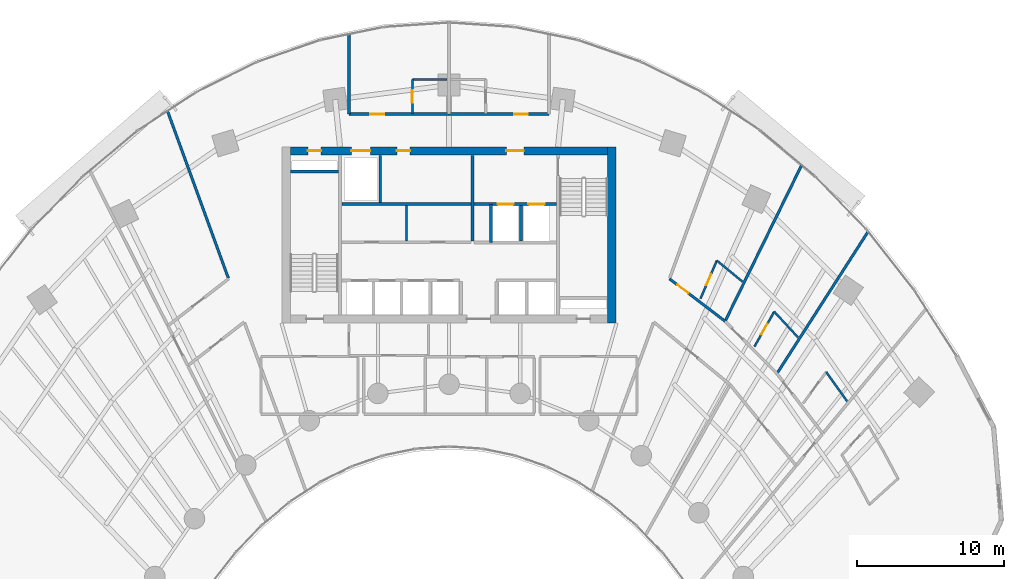
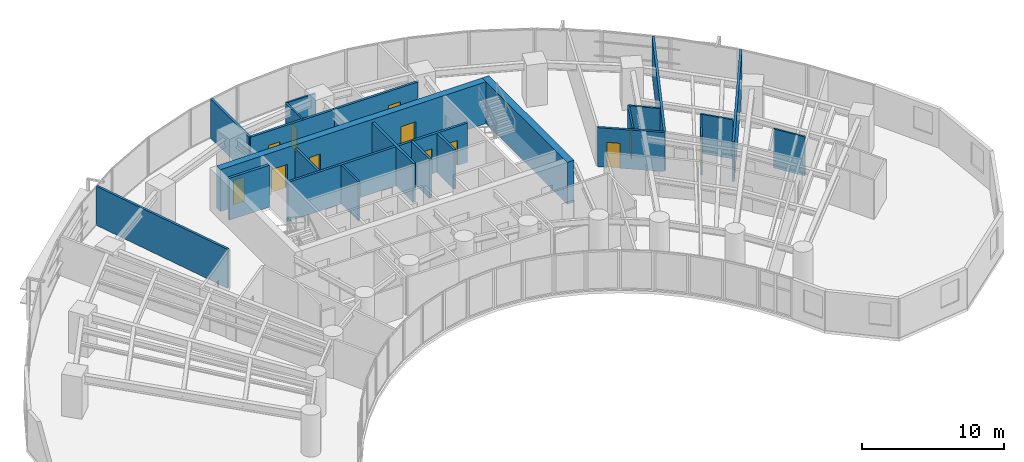
# One storey, part 13 of 17: 24 walls, 12 doors, 12 openings.
"""IFC4 building model written with IfcOpenShell, lengths in metres."""

from ifc_helpers import new_model, si_unit, direction, frame, frame_2d, origin, place, context, subcontext, project, spatial, rectangle, extrude, source, transform, mapped, material, layer, layer_set, type_object, type_shapes, element, fill, save


model = new_model("IFC4")

# Units and contexts
model_context = context("Model", 3, precision=1e-05, world=origin(), true_north=direction((0.0, 1.0)))
body_context = subcontext(model_context, "Body", "Model", "MODEL_VIEW")
ifc_project = project(units=[si_unit("LENGTHUNIT", "METRE"), si_unit("AREAUNIT", "SQUARE_METRE"), si_unit("VOLUMEUNIT", "CUBIC_METRE"), si_unit("PLANEANGLEUNIT", "RADIAN"), si_unit("MASSUNIT", "GRAM", prefix="KILO")], contexts=[model_context])

# Site, building, storey
site_placement = place(None, origin())
site = spatial("IfcSite", under=ifc_project, at=site_placement, CompositionType="ELEMENT")
building_placement = place(site_placement, origin())
building = spatial("IfcBuilding", under=site, at=building_placement, Name="Breltana Convention Tower", CompositionType="ELEMENT")
storey_placement = place(building_placement, frame((0.0, 0.0, 60.60009765625)))
storey = spatial("IfcBuildingStorey", under=building, at=storey_placement, Name="L13", CompositionType="ELEMENT", Elevation=60.60009765625)

# Wall
ifc_material_1 = material(Name="Concrete C60/75", Category="concrete")
ifc_layer_1 = layer(ifc_material_1, 0.550048828125, Name="Concrete C60/75")
ifc_layer_set_1 = layer_set([ifc_layer_1], Name="Concrete C60/75")
wall_type_1 = type_object("IfcWallType", Name="SW-CORE-550", PredefinedType="SHEAR", material=ifc_layer_set_1)
shared_shape_1 = source(origin(), body_context, "Body", "SweptSolid", [
    extrude(rectangle(XDim=12.0, YDim=0.550048828125, at=frame_2d((6.0, 0.0))), origin(), (0.0, 0.0, 1.0), 3.599853515625),
])
wall_1_placement = place(storey_placement, frame((59.074951171875, 60.199951171875, 0.0), z_axis=(0.0, 0.0, 1.0), x_axis=(0.0, 1.0, 0.0)))
element("IfcWall", 1, at=wall_1_placement, inside=storey, type_object=wall_type_1, Name="L13 East Core Shear Wall", PredefinedType="SHEAR", context=body_context, shape_type="MappedRepresentation", body=[
    mapped(shared_shape_1, transform((0.0, 0.0, 0.0), scale=1.0)),
])

# Wall, openings, doors
shared_shape_2 = source(origin(), body_context, "Body", "SweptSolid", [
    extrude(rectangle(XDim=21.60009765625, YDim=0.550048828125, at=frame_2d((10.800048828125, 0.0))), origin(), (0.0, 0.0, 1.0), 3.599853515625),
])
wall_2_placement = place(storey_placement, frame((37.199951171875, 71.925048828125, 0.0), z_axis=(0.0, 0.0, 1.0), x_axis=(1.0, 0.0, 0.0)))
wall_2 = element("IfcWall", 2, at=wall_2_placement, inside=storey, type_object=wall_type_1, Name="L13 North Core Shear Wall", PredefinedType="SHEAR", context=body_context, shape_type="MappedRepresentation", body=[
    mapped(shared_shape_2, transform((0.0, 0.0, 0.0), scale=1.0)),
])
opening_1_placement = place(wall_2_placement, frame((1.199951171875, 0.0, 0.0)))
opening_1 = element("IfcOpeningElement", 3, at=opening_1_placement, cuts=wall_2, Name="Opening D-18", PredefinedType="OPENING", context=body_context, shape_type="SweptSolid", body=[
    extrude(rectangle(XDim=0.89990234375, YDim=2.10009765625, at=frame_2d((0.449951171875, 1.050048828125))), frame((0.0, 0.28515625, 0.0), z_axis=(0.0, -1.0, 0.0), x_axis=(1.0, 0.0, 0.0)), (0.0, 0.0, 1.0), 0.570068359375),
])
opening_2_placement = place(wall_2_placement, frame((14.699951171875, 0.0, 0.0)))
opening_2 = element("IfcOpeningElement", 4, at=opening_2_placement, cuts=wall_2, Name="Opening D-09", PredefinedType="OPENING", context=body_context, shape_type="SweptSolid", body=[
    extrude(rectangle(XDim=1.199951171875, YDim=2.14990234375, at=frame_2d((0.60009765625, 1.074951171875))), frame((0.0, 0.28515625, 0.0), z_axis=(0.0, -1.0, 0.0), x_axis=(1.0, 0.0, 0.0)), (0.0, 0.0, 1.0), 0.570068359375),
])
opening_3_placement = place(wall_2_placement, frame((4.14990234375, 0.0, 0.0)))
opening_3 = element("IfcOpeningElement", 5, at=opening_3_placement, cuts=wall_2, Name="Opening LD-01", PredefinedType="OPENING", context=body_context, shape_type="SweptSolid", body=[
    extrude(rectangle(XDim=1.300048828125, YDim=2.14990234375, at=frame_2d((0.64990234375, 1.074951171875))), frame((0.0, 0.28515625, 0.0), z_axis=(0.0, -1.0, 0.0), x_axis=(1.0, 0.0, 0.0)), (0.0, 0.0, 1.0), 0.570068359375),
])
opening_4_placement = place(wall_2_placement, frame((7.25, 0.0, 0.0)))
opening_4 = element("IfcOpeningElement", 6, at=opening_4_placement, cuts=wall_2, Name="Opening D-18", PredefinedType="OPENING", context=body_context, shape_type="SweptSolid", body=[
    extrude(rectangle(XDim=0.89990234375, YDim=2.10009765625, at=frame_2d((0.449951171875, 1.050048828125))), frame((0.0, 0.28515625, 0.0), z_axis=(0.0, -1.0, 0.0), x_axis=(1.0, 0.0, 0.0)), (0.0, 0.0, 1.0), 0.570068359375),
])
ifc_material_2 = material(Name="Steel Riser Fire Door", Category="steel")
door_type_1 = type_object("IfcDoorType", Name="DR-FD60-900", OperationType="NOTDEFINED", PredefinedType="DOOR", material=ifc_material_2)
shared_shape_3 = source(origin(), body_context, "Body", "SweptSolid", [
    extrude(rectangle(XDim=0.89990234375, YDim=2.10009765625, at=frame_2d((0.449951171875, 1.050048828125))), frame((0.0, 0.02490234375, 0.0), z_axis=(0.0, -1.0, 0.0), x_axis=(1.0, 0.0, 0.0)), (0.0, 0.0, 1.0), 0.050048828125),
])
type_shapes(door_type_1, [shared_shape_3])
door_1_placement = place(opening_1_placement, origin())
door_1 = element("IfcDoor", 7, at=door_1_placement, inside=storey, type_object=door_type_1, Name="L13 Core Riser Access Door D-L13-RS1", OperationType="SINGLE_SWING_LEFT", OverallHeight=2.10009765625, OverallWidth=0.89990234375, PredefinedType="DOOR", context=body_context, shape_type="MappedRepresentation", body=[
    mapped(shared_shape_3, transform((0.0, 0.0, 0.0), scale=1.0)),
])
fill(opening_1, door_1)
door_2_placement = place(opening_4_placement, origin())
door_2 = element("IfcDoor", 8, at=door_2_placement, inside=storey, type_object=door_type_1, Name="L13 interior door D-L13-CRA1", OperationType="SINGLE_SWING_LEFT", OverallHeight=2.10009765625, OverallWidth=0.89990234375, PredefinedType="DOOR", context=body_context, shape_type="MappedRepresentation", body=[
    mapped(shared_shape_3, transform((0.0, 0.0, 0.0), scale=1.0)),
])
fill(opening_4, door_2)
ifc_material_3 = material(Name="Steel Fire Lobby Door", Category="steel")
door_type_2 = type_object("IfcDoorType", Name="DR-FD120-1200", OperationType="NOTDEFINED", PredefinedType="DOOR", material=ifc_material_3)
shared_shape_4 = source(origin(), body_context, "Body", "SweptSolid", [
    extrude(rectangle(XDim=1.199951171875, YDim=2.14990234375, at=frame_2d((0.60009765625, 1.074951171875))), frame((0.0, 0.02490234375, 0.0), z_axis=(0.0, -1.0, 0.0), x_axis=(1.0, 0.0, 0.0)), (0.0, 0.0, 1.0), 0.050048828125),
])
type_shapes(door_type_2, [shared_shape_4])
door_3_placement = place(opening_2_placement, origin())
door_3 = element("IfcDoor", 9, at=door_3_placement, inside=storey, type_object=door_type_2, Name="L13 interior door D-L13-FFL-N", OperationType="SINGLE_SWING_RIGHT", OverallHeight=2.14990234375, OverallWidth=1.199951171875, PredefinedType="DOOR", context=body_context, shape_type="MappedRepresentation", body=[
    mapped(shared_shape_4, transform((0.0, 0.0, 0.0), scale=1.0)),
])
fill(opening_2, door_3)
ifc_material_4 = material(Name="Stainless Steel Brushed", Category="steel")
door_type_3 = type_object("IfcDoorType", Name="DR-LD-SRV-1300", OperationType="DOUBLE_DOOR_SLIDING", PredefinedType="DOOR", material=ifc_material_4)
shared_shape_5 = source(origin(), body_context, "Body", "SweptSolid", [
    extrude(rectangle(XDim=1.300048828125, YDim=2.14990234375, at=frame_2d((0.64990234375, 1.074951171875))), frame((0.0, 0.02490234375, 0.0), z_axis=(0.0, -1.0, 0.0), x_axis=(1.0, 0.0, 0.0)), (0.0, 0.0, 1.0), 0.050048828125),
])
type_shapes(door_type_3, [shared_shape_5])
door_4_placement = place(opening_3_placement, origin())
door_4 = element("IfcDoor", 10, at=door_4_placement, inside=storey, type_object=door_type_3, Name="L13 Lift Landing Door D-L13-LD-SV1", OperationType="DOUBLE_DOOR_SLIDING", OverallHeight=2.14990234375, OverallWidth=1.300048828125, PredefinedType="DOOR", context=body_context, shape_type="MappedRepresentation", body=[
    mapped(shared_shape_5, transform((0.0, 0.0, 0.0), scale=1.0)),
])
fill(opening_3, door_4)

# Wall
ifc_material_5 = material(Name="Concrete C50/60", Category="concrete")
ifc_layer_2 = layer(ifc_material_5, 0.39990234375, Name="Concrete C50/60")
ifc_layer_set_2 = layer_set([ifc_layer_2], Name="Concrete C50/60")
wall_type_2 = type_object("IfcWallType", Name="SW-CORE-400", PredefinedType="SHEAR", material=ifc_layer_set_2)
shared_shape_6 = source(origin(), body_context, "Body", "SweptSolid", [
    extrude(rectangle(XDim=3.27001953125, YDim=0.219970703125, at=frame_2d((1.635009765625, 0.0))), origin(), (0.0, 0.0, 1.0), 3.599853515625),
])
wall_3_placement = place(storey_placement, frame((37.199951171875, 70.510009765625, 0.0), z_axis=(0.0, 0.0, 1.0), x_axis=(1.0, 0.0, 0.0)))
element("IfcWall", 11, at=wall_3_placement, inside=storey, type_object=wall_type_2, Name="L13 ST-1 Stairwell North Bearing Wall", PredefinedType="SHEAR", context=body_context, shape_type="MappedRepresentation", body=[
    mapped(shared_shape_6, transform((0.0, 0.0, 0.0), scale=1.0)),
])

# Wall, openings, doors
ifc_material_6 = material(Name="Autoclaved Aerated Concrete Block", Category="concrete")
ifc_layer_3 = layer(ifc_material_6, 0.199951171875, Name="Autoclaved Aerated Concrete Block")
ifc_layer_set_3 = layer_set([ifc_layer_3], Name="Autoclaved Aerated Concrete Block")
wall_type_3 = type_object("IfcWallType", Name="WL-SHAFT-200", PredefinedType="SOLIDWALL", material=ifc_layer_set_3)
shared_shape_7 = source(origin(), body_context, "Body", "SweptSolid", [
    extrude(rectangle(XDim=5.6201171875, YDim=0.199951171875, at=frame_2d((2.81005859375, 0.0))), origin(), (0.0, 0.0, 1.0), 3.35986328125),
])
wall_4_placement = place(storey_placement, frame((49.699951171875, 68.300048828125, 0.0), z_axis=(0.0, 0.0, 1.0), x_axis=(1.0, 0.0, 0.0)))
wall_4 = element("IfcWall", 12, at=wall_4_placement, inside=storey, type_object=wall_type_3, Name="L13 interior partition W-L13-FFL-S", PredefinedType="SOLIDWALL", context=body_context, shape_type="MappedRepresentation", body=[
    mapped(shared_shape_7, transform((0.0, 0.0, 0.0), scale=1.0)),
])
opening_5_placement = place(wall_4_placement, frame((1.60009765625, 0.0, 0.0)))
opening_5 = element("IfcOpeningElement", 13, at=opening_5_placement, cuts=wall_4, Name="Opening LD-03", PredefinedType="OPENING", context=body_context, shape_type="SweptSolid", body=[
    extrude(rectangle(XDim=1.10009765625, YDim=2.14990234375, at=frame_2d((0.550048828125, 1.074951171875))), frame((0.0, 0.10986328125, 0.0), z_axis=(0.0, -1.0, 0.0), x_axis=(1.0, 0.0, 0.0)), (0.0, 0.0, 1.0), 0.219970703125),
])
opening_6_placement = place(wall_4_placement, frame((3.699951171875, 0.0, 0.0)))
opening_6 = element("IfcOpeningElement", 14, at=opening_6_placement, cuts=wall_4, Name="Opening LD-03", PredefinedType="OPENING", context=body_context, shape_type="SweptSolid", body=[
    extrude(rectangle(XDim=1.10009765625, YDim=2.14990234375, at=frame_2d((0.550048828125, 1.074951171875))), frame((0.0, 0.10986328125, 0.0), z_axis=(0.0, -1.0, 0.0), x_axis=(1.0, 0.0, 0.0)), (0.0, 0.0, 1.0), 0.219970703125),
])
door_type_4 = type_object("IfcDoorType", Name="DR-LD-FF-1100", OperationType="DOUBLE_DOOR_SLIDING", PredefinedType="DOOR", material=ifc_material_4)
shared_shape_8 = source(origin(), body_context, "Body", "SweptSolid", [
    extrude(rectangle(XDim=1.10009765625, YDim=2.14990234375, at=frame_2d((0.550048828125, 1.074951171875))), frame((0.0, 0.02490234375, 0.0), z_axis=(0.0, -1.0, 0.0), x_axis=(1.0, 0.0, 0.0)), (0.0, 0.0, 1.0), 0.050048828125),
])
type_shapes(door_type_4, [shared_shape_8])
door_5_placement = place(opening_5_placement, origin())
door_5 = element("IfcDoor", 15, at=door_5_placement, inside=storey, type_object=door_type_4, Name="L13 Lift Landing Door D-L13-LD-FL1", OperationType="DOUBLE_DOOR_SLIDING", OverallHeight=2.14990234375, OverallWidth=1.10009765625, PredefinedType="DOOR", context=body_context, shape_type="MappedRepresentation", body=[
    mapped(shared_shape_8, transform((0.0, 0.0, 0.0), scale=1.0)),
])
fill(opening_5, door_5)
door_6_placement = place(opening_6_placement, origin())
door_6 = element("IfcDoor", 16, at=door_6_placement, inside=storey, type_object=door_type_4, Name="L13 Lift Landing Door D-L13-LD-FL2", OperationType="DOUBLE_DOOR_SLIDING", OverallHeight=2.14990234375, OverallWidth=1.10009765625, PredefinedType="DOOR", context=body_context, shape_type="MappedRepresentation", body=[
    mapped(shared_shape_8, transform((0.0, 0.0, 0.0), scale=1.0)),
])
fill(opening_6, door_6)

# Walls
shared_shape_9 = source(origin(), body_context, "Body", "SweptSolid", [
    extrude(rectangle(XDim=5.800048828125, YDim=0.199951171875, at=frame_2d((2.89990234375, 0.0))), origin(), (0.0, 0.0, 1.0), 3.35986328125),
])
wall_5_placement = place(storey_placement, frame((49.60009765625, 65.800048828125, 0.0), z_axis=(0.0, 0.0, 1.0), x_axis=(0.0, 1.0, 0.0)))
element("IfcWall", 17, at=wall_5_placement, inside=storey, type_object=wall_type_3, Name="L13 interior partition W-L13-FFL-W", PredefinedType="SOLIDWALL", context=body_context, shape_type="MappedRepresentation", body=[
    mapped(shared_shape_9, transform((0.0, 0.0, 0.0), scale=1.0)),
])
shared_shape_10 = source(origin(), body_context, "Body", "SweptSolid", [
    extrude(rectangle(XDim=2.580078125, YDim=0.199951171875, at=frame_2d((1.2900390625, 0.0))), origin(), (0.0, 0.0, 1.0), 3.35986328125),
])
wall_6_placement = place(storey_placement, frame((50.85009765625, 65.679931640625, 0.0), z_axis=(0.0, 0.0, 1.0), x_axis=(0.0, 1.0, 0.0)))
element("IfcWall", 18, at=wall_6_placement, inside=storey, type_object=wall_type_3, Name="L13 interior partition W-L13-FL-W", PredefinedType="SOLIDWALL", context=body_context, shape_type="MappedRepresentation", body=[
    mapped(shared_shape_10, transform((0.0, 0.0, 0.0), scale=1.0)),
])
shared_shape_11 = source(origin(), body_context, "Body", "SweptSolid", [
    extrude(rectangle(XDim=2.39990234375, YDim=0.199951171875, at=frame_2d((1.199951171875, 0.0))), origin(), (0.0, 0.0, 1.0), 3.35986328125),
])
wall_7_placement = place(storey_placement, frame((52.89990234375, 65.800048828125, 0.0), z_axis=(0.0, 0.0, 1.0), x_axis=(0.0, 1.0, 0.0)))
element("IfcWall", 19, at=wall_7_placement, inside=storey, type_object=wall_type_3, Name="L13 interior partition W-L13-FL-DIV", PredefinedType="SOLIDWALL", context=body_context, shape_type="MappedRepresentation", body=[
    mapped(shared_shape_11, transform((0.0, 0.0, 0.0), scale=1.0)),
])
shared_shape_12 = source(origin(), body_context, "Body", "SweptSolid", [
    extrude(rectangle(XDim=3.2001953125, YDim=0.199951171875, at=frame_2d((1.60009765625, 0.0))), origin(), (0.0, 0.0, 1.0), 3.35986328125),
])
wall_8_placement = place(storey_placement, frame((43.320068359375, 68.39990234375, 0.0), z_axis=(0.0, 0.0, 1.0), x_axis=(0.0, 1.0, 0.0)))
element("IfcWall", 20, at=wall_8_placement, inside=storey, type_object=wall_type_3, Name="L13 interior partition W-L13-SV-E", PredefinedType="SOLIDWALL", context=body_context, shape_type="MappedRepresentation", body=[
    mapped(shared_shape_12, transform((0.0, 0.0, 0.0), scale=1.0)),
])
shared_shape_13 = source(origin(), body_context, "Body", "SweptSolid", [
    extrude(rectangle(XDim=8.800048828125, YDim=0.199951171875, at=frame_2d((4.39990234375, 0.0))), origin(), (0.0, 0.0, 1.0), 3.35986328125),
])
wall_9_placement = place(storey_placement, frame((40.699951171875, 68.300048828125, 0.0), z_axis=(0.0, 0.0, 1.0), x_axis=(1.0, 0.0, 0.0)))
element("IfcWall", 21, at=wall_9_placement, inside=storey, type_object=wall_type_3, Name="L13 interior partition W-L13-SV-S", PredefinedType="SOLIDWALL", context=body_context, shape_type="MappedRepresentation", body=[
    mapped(shared_shape_13, transform((0.0, 0.0, 0.0), scale=1.0)),
])
ifc_material_7 = material(Name="Gypsum Acoustic Drywall Partition")
ifc_layer_4 = layer(ifc_material_7, 0.14990234375, Name="Gypsum Acoustic Drywall Partition")
ifc_layer_set_4 = layer_set([ifc_layer_4], Name="Gypsum Acoustic Drywall Partition")
wall_type_4 = type_object("IfcWallType", Name="WL-PART-150", PredefinedType="PARTITIONING", material=ifc_layer_set_4)
shared_shape_14 = source(origin(), body_context, "Body", "SweptSolid", [
    extrude(rectangle(XDim=2.39990234375, YDim=0.14990234375, at=frame_2d((1.199951171875, 0.0))), origin(), (0.0, 0.0, 1.0), 3.35986328125),
])
wall_10_placement = place(storey_placement, frame((45.10009765625, 65.800048828125, 0.0), z_axis=(0.0, 0.0, 1.0), x_axis=(0.0, 1.0, 0.0)))
element("IfcWall", 22, at=wall_10_placement, inside=storey, type_object=wall_type_4, Name="L13 interior partition W-L13-LV7-B2-DIV", PredefinedType="PARTITIONING", context=body_context, shape_type="MappedRepresentation", body=[
    mapped(shared_shape_14, transform((0.0, 0.0, 0.0), scale=1.0)),
])

# Wall, opening, door
ifc_material_8 = material(Name="Gypsum Acoustic Hotel Wall")
ifc_layer_5 = layer(ifc_material_8, 0.195068359375, Name="Gypsum Acoustic Hotel Wall")
ifc_layer_set_5 = layer_set([ifc_layer_5], Name="Gypsum Acoustic Hotel Wall")
wall_type_5 = type_object("IfcWallType", Name="WL-HOTEL-200", PredefinedType="PARTITIONING", material=ifc_layer_set_5)
shared_shape_15 = source(origin(), body_context, "Body", "SweptSolid", [
    extrude(rectangle(XDim=6.800048828125, YDim=0.195068359375, at=frame_2d((3.39990234375, 0.0))), origin(), (0.0, 0.0, 1.0), 3.35986328125),
])
wall_11_placement = place(storey_placement, frame((41.199951171875, 74.419921875, 0.0), z_axis=(0.0, 0.0, 1.0), x_axis=(1.0, 0.0, 0.0)))
wall_11 = element("IfcWall", 23, at=wall_11_placement, inside=storey, type_object=wall_type_5, Name="L13 interior partition W-L13-GRN1-S", PredefinedType="PARTITIONING", context=body_context, shape_type="MappedRepresentation", body=[
    mapped(shared_shape_15, transform((0.0, 0.0, 0.0), scale=1.0)),
])
opening_7_placement = place(wall_11_placement, frame((1.428955078125, 0.0, 0.0)))
opening_7 = element("IfcOpeningElement", 24, at=opening_7_placement, cuts=wall_11, Name="Opening D-14", PredefinedType="OPENING", context=body_context, shape_type="SweptSolid", body=[
    extrude(rectangle(XDim=0.949951171875, YDim=2.14990234375, at=frame_2d((0.47509765625, 1.074951171875))), frame((0.0, 0.107421875, 0.0), z_axis=(0.0, -1.0, 0.0), x_axis=(1.0, 0.0, 0.0)), (0.0, 0.0, 1.0), 0.215087890625),
])
ifc_material_9 = material(Name="Timber Solid-Core Fire Door", Category="wood")
door_type_5 = type_object("IfcDoorType", Name="DR-FD60-950", OperationType="NOTDEFINED", PredefinedType="DOOR", material=ifc_material_9)
shared_shape_16 = source(origin(), body_context, "Body", "SweptSolid", [
    extrude(rectangle(XDim=0.949951171875, YDim=2.14990234375, at=frame_2d((0.47509765625, 1.074951171875))), frame((0.0, 0.02490234375, 0.0), z_axis=(0.0, -1.0, 0.0), x_axis=(1.0, 0.0, 0.0)), (0.0, 0.0, 1.0), 0.050048828125),
])
type_shapes(door_type_5, [shared_shape_16])
door_7_placement = place(opening_7_placement, origin())
door_7 = element("IfcDoor", 25, at=door_7_placement, inside=storey, type_object=door_type_5, Name="L13 interior door D-L13-GRN1", OperationType="SINGLE_SWING_RIGHT", OverallHeight=2.14990234375, OverallWidth=0.949951171875, PredefinedType="DOOR", context=body_context, shape_type="MappedRepresentation", body=[
    mapped(shared_shape_16, transform((0.0, 0.0, 0.0), scale=1.0)),
])
fill(opening_7, door_7)

wall_12_placement = place(storey_placement, frame((48.0, 74.419921875, 0.0), z_axis=(0.0, 0.0, 1.0), x_axis=(1.0, 0.0, 0.0)))
wall_12 = element("IfcWall", 26, at=wall_12_placement, inside=storey, type_object=wall_type_5, Name="L13 interior partition W-L13-GRN2-S", PredefinedType="PARTITIONING", context=body_context, shape_type="MappedRepresentation", body=[
    mapped(shared_shape_15, transform((0.0, 0.0, 0.0), scale=1.0)),
])
opening_8_placement = place(wall_12_placement, frame((4.4208984375, 0.0, 0.0)))
opening_8 = element("IfcOpeningElement", 27, at=opening_8_placement, cuts=wall_12, Name="Opening D-14", PredefinedType="OPENING", context=body_context, shape_type="SweptSolid", body=[
    extrude(rectangle(XDim=0.949951171875, YDim=2.14990234375, at=frame_2d((0.47509765625, 1.074951171875))), frame((0.0, 0.107421875, 0.0), z_axis=(0.0, -1.0, 0.0), x_axis=(1.0, 0.0, 0.0)), (0.0, 0.0, 1.0), 0.215087890625),
])
door_8_placement = place(opening_8_placement, origin())
door_8 = element("IfcDoor", 28, at=door_8_placement, inside=storey, type_object=door_type_5, Name="L13 interior door D-L13-GRN2", OperationType="SINGLE_SWING_RIGHT", OverallHeight=2.14990234375, OverallWidth=0.949951171875, PredefinedType="DOOR", context=body_context, shape_type="MappedRepresentation", body=[
    mapped(shared_shape_16, transform((0.0, 0.0, 0.0), scale=1.0)),
])
fill(opening_8, door_8)

# Walls
shared_shape_17 = source(origin(), body_context, "Body", "SweptSolid", [
    extrude(rectangle(XDim=5.42626953125, YDim=0.195068359375, at=frame_2d((2.713134765625, 0.0))), origin(), (0.0, 0.0, 1.0), 3.35986328125),
])
wall_13_placement = place(storey_placement, frame((41.199951171875, 74.419921875, 0.0), z_axis=(0.0, 0.0, 1.0), x_axis=(0.0, 1.0, 0.0)))
element("IfcWall", 29, at=wall_13_placement, inside=storey, type_object=wall_type_5, Name="L13 interior partition W-L13-GRN1-SD", PredefinedType="PARTITIONING", context=body_context, shape_type="MappedRepresentation", body=[
    mapped(shared_shape_17, transform((0.0, 0.0, 0.0), scale=1.0)),
])
ifc_material_10 = material(Name="Moisture-Resistant En-Suite Partition")
ifc_layer_6 = layer(ifc_material_10, 0.139892578125, Name="Moisture-Resistant En-Suite Partition")
ifc_layer_set_6 = layer_set([ifc_layer_6], Name="Moisture-Resistant En-Suite Partition")
wall_type_6 = type_object("IfcWallType", Name="WL-WET-150", PredefinedType="PARTITIONING", material=ifc_layer_set_6)
shared_shape_18 = source(origin(), body_context, "Body", "SweptSolid", [
    extrude(rectangle(XDim=2.35009765625, YDim=0.139892578125, at=frame_2d((1.175048828125, 0.0))), origin(), (0.0, 0.0, 1.0), 3.35986328125),
])
wall_14_placement = place(storey_placement, frame((45.5, 76.780029296875, 0.0), z_axis=(0.0, 0.0, 1.0), x_axis=(1.0, 0.0, 0.0)))
element("IfcWall", 30, at=wall_14_placement, inside=storey, type_object=wall_type_6, Name="L13 interior partition W-L13-ENSN1-N", PredefinedType="PARTITIONING", context=body_context, shape_type="MappedRepresentation", body=[
    mapped(shared_shape_18, transform((0.0, 0.0, 0.0), scale=1.0)),
])

# Wall, opening, door
shared_shape_19 = source(origin(), body_context, "Body", "SweptSolid", [
    extrude(rectangle(XDim=2.330078125, YDim=0.139892578125, at=frame_2d((1.1650390625, 0.0))), origin(), (0.0, 0.0, 1.0), 3.35986328125),
])
wall_15_placement = place(storey_placement, frame((45.5, 74.449951171875, 0.0), z_axis=(0.0, 0.0, 1.0), x_axis=(0.0, 1.0, 0.0)))
wall_15 = element("IfcWall", 31, at=wall_15_placement, inside=storey, type_object=wall_type_6, Name="L13 interior partition W-L13-ENSN1-SD", PredefinedType="PARTITIONING", context=body_context, shape_type="MappedRepresentation", body=[
    mapped(shared_shape_19, transform((0.0, 0.0, 0.0), scale=1.0)),
])
opening_9_placement = place(wall_15_placement, frame((0.739990234375, 0.0, 0.0)))
opening_9 = element("IfcOpeningElement", 32, at=opening_9_placement, cuts=wall_15, Name="Opening D-21", PredefinedType="OPENING", context=body_context, shape_type="SweptSolid", body=[
    extrude(rectangle(XDim=0.85009765625, YDim=2.050048828125, at=frame_2d((0.425048828125, 1.02490234375))), frame((0.0, 0.080078125, 0.0), z_axis=(0.0, -1.0, 0.0), x_axis=(1.0, 0.0, 0.0)), (0.0, 0.0, 1.0), 0.159912109375),
])
ifc_material_11 = material(Name="Timber Moisture-Resistant En-Suite Door", Category="wood")
door_type_6 = type_object("IfcDoorType", Name="DR-WET-850", OperationType="NOTDEFINED", PredefinedType="DOOR", material=ifc_material_11)
shared_shape_20 = source(origin(), body_context, "Body", "SweptSolid", [
    extrude(rectangle(XDim=0.85009765625, YDim=2.050048828125, at=frame_2d((0.425048828125, 1.02490234375))), frame((0.0, 0.02490234375, 0.0), z_axis=(0.0, -1.0, 0.0), x_axis=(1.0, 0.0, 0.0)), (0.0, 0.0, 1.0), 0.050048828125),
])
type_shapes(door_type_6, [shared_shape_20])
door_9_placement = place(opening_9_placement, origin())
door_9 = element("IfcDoor", 33, at=door_9_placement, inside=storey, type_object=door_type_6, Name="L13 interior door D-L13-ENSN1", OperationType="SINGLE_SWING_LEFT", OverallHeight=2.050048828125, OverallWidth=0.85009765625, PredefinedType="DOOR", context=body_context, shape_type="MappedRepresentation", body=[
    mapped(shared_shape_20, transform((0.0, 0.0, 0.0), scale=1.0)),
])
fill(opening_9, door_9)

# Wall
ifc_material_12 = material(Name="Moisture-Resistant Gypsum Chase Wall")
ifc_layer_7 = layer(ifc_material_12, 0.179931640625, Name="Moisture-Resistant Gypsum Chase Wall")
ifc_layer_set_7 = layer_set([ifc_layer_7], Name="Moisture-Resistant Gypsum Chase Wall")
wall_type_7 = type_object("IfcWallType", Name="WL-PLUMB-180", PredefinedType="PLUMBINGWALL", material=ifc_layer_set_7)
shared_shape_21 = source(origin(), body_context, "Body", "SweptSolid", [
    extrude(rectangle(XDim=12.088134765625, YDim=0.179931640625, at=frame_2d((6.0439453125, 0.0))), origin(), (0.0, 0.0, 1.0), 3.35986328125),
])
wall_16_placement = place(storey_placement, frame((32.9814453125, 63.26220703125, 0.0), z_axis=(0.0, 0.0, 1.0), x_axis=(-0.34203007529, 0.939689005787, 0.0)))
element("IfcWall", 34, at=wall_16_placement, inside=storey, type_object=wall_type_7, Name="L13 interior partition W-L13-SPAO1-RB", PredefinedType="PLUMBINGWALL", context=body_context, shape_type="MappedRepresentation", body=[
    mapped(shared_shape_21, transform((0.0, 0.0, 0.0), scale=1.0)),
])

# Wall, opening, door
shared_shape_22 = source(origin(), body_context, "Body", "SweptSolid", [
    extrude(rectangle(XDim=4.76220703125, YDim=0.179931640625, at=frame_2d((2.381103515625, 0.0))), origin(), (0.0, 0.0, 1.0), 3.35986328125),
])
wall_17_placement = place(storey_placement, frame((63.001220703125, 63.214111328125, 0.0), z_axis=(0.0, 0.0, 1.0), x_axis=(0.795070295872, -0.60651729128, 0.0)))
wall_17 = element("IfcWall", 35, at=wall_17_placement, inside=storey, type_object=wall_type_7, Name="L13 interior partition W-L13-HE01-COR", PredefinedType="PLUMBINGWALL", context=body_context, shape_type="MappedRepresentation", body=[
    mapped(shared_shape_22, transform((0.0, 0.0, 0.0), scale=1.0)),
])
opening_10_placement = place(wall_17_placement, frame((0.66796875, 0.0, 0.0)))
opening_10 = element("IfcOpeningElement", 36, at=opening_10_placement, cuts=wall_17, Name="Opening D-14", PredefinedType="OPENING", context=body_context, shape_type="SweptSolid", body=[
    extrude(rectangle(XDim=0.949951171875, YDim=2.14990234375, at=frame_2d((0.47509765625, 1.074951171875))), frame((0.0, 0.10009765625, 0.0), z_axis=(0.0, -1.0, 0.0), x_axis=(1.0, 0.0, 0.0)), (0.0, 0.0, 1.0), 0.199951171875),
])
door_10_placement = place(opening_10_placement, origin())
door_10 = element("IfcDoor", 37, at=door_10_placement, inside=storey, type_object=door_type_5, Name="L13 interior door D-L13-HE01", OperationType="SINGLE_SWING_LEFT", OverallHeight=2.14990234375, OverallWidth=0.949951171875, PredefinedType="DOOR", context=body_context, shape_type="MappedRepresentation", body=[
    mapped(shared_shape_16, transform((0.0, 0.0, 0.0), scale=1.0)),
])
fill(opening_10, door_10)

# Walls
shared_shape_23 = source(origin(), body_context, "Body", "SweptSolid", [
    extrude(rectangle(XDim=11.774658203125, YDim=0.179931640625, at=frame_2d((5.88720703125, 0.0))), origin(), (0.0, 0.0, 1.0), 3.35986328125),
])
wall_18_placement = place(storey_placement, frame((66.8095703125, 60.37060546875, 0.0), z_axis=(0.0, 0.0, 1.0), x_axis=(0.4401500056, 0.897924257702, 0.0)))
element("IfcWall", 38, at=wall_18_placement, inside=storey, type_object=wall_type_7, Name="L13 interior partition W-L13-HE01-RB", PredefinedType="PLUMBINGWALL", context=body_context, shape_type="MappedRepresentation", body=[
    mapped(shared_shape_23, transform((0.0, 0.0, 0.0), scale=1.0)),
])
shared_shape_24 = source(origin(), body_context, "Body", "SweptSolid", [
    extrude(rectangle(XDim=2.260498046875, YDim=0.139892578125, at=frame_2d((1.13037109375, 0.0))), origin(), (0.0, 0.0, 1.0), 3.35986328125),
])
wall_19_placement = place(storey_placement, frame((66.22412109375, 64.45458984375, 0.0), z_axis=(0.0, 0.0, 1.0), x_axis=(0.772646789219, -0.634836151388, 0.0)))
element("IfcWall", 39, at=wall_19_placement, inside=storey, type_object=wall_type_6, Name="L13 interior partition W-L13-HE01E-BK", PredefinedType="PARTITIONING", context=body_context, shape_type="MappedRepresentation", body=[
    mapped(shared_shape_24, transform((0.0, 0.0, 0.0), scale=1.0)),
])

# Wall, opening, door
shared_shape_25 = source(origin(), body_context, "Body", "SweptSolid", [
    extrude(rectangle(XDim=2.81884765625, YDim=0.139892578125, at=frame_2d((1.409423828125, 0.0))), origin(), (0.0, 0.0, 1.0), 3.35986328125),
])
wall_20_placement = place(storey_placement, frame((65.1123046875, 61.8642578125, 0.0), z_axis=(0.0, 0.0, 1.0), x_axis=(0.394420979357, 0.918929861874, 0.0)))
wall_20 = element("IfcWall", 40, at=wall_20_placement, inside=storey, type_object=wall_type_6, Name="L13 interior partition W-L13-HE01E-SD", PredefinedType="PARTITIONING", context=body_context, shape_type="MappedRepresentation", body=[
    mapped(shared_shape_25, transform((0.0, 0.0, 0.0), scale=1.0)),
])
opening_11_placement = place(wall_20_placement, frame((0.984375, 0.0, 0.0)))
opening_11 = element("IfcOpeningElement", 41, at=opening_11_placement, cuts=wall_20, Name="Opening D-21", PredefinedType="OPENING", context=body_context, shape_type="SweptSolid", body=[
    extrude(rectangle(XDim=0.85009765625, YDim=2.050048828125, at=frame_2d((0.425048828125, 1.02490234375))), frame((0.0, 0.080078125, 0.0), z_axis=(0.0, -1.0, 0.0), x_axis=(1.0, 0.0, 0.0)), (0.0, 0.0, 1.0), 0.159912109375),
])
door_11_placement = place(opening_11_placement, origin())
door_11 = element("IfcDoor", 42, at=door_11_placement, inside=storey, type_object=door_type_6, Name="L13 interior door D-L13-HE01E", OperationType="SINGLE_SWING_RIGHT", OverallHeight=2.050048828125, OverallWidth=0.85009765625, PredefinedType="DOOR", context=body_context, shape_type="MappedRepresentation", body=[
    mapped(shared_shape_20, transform((0.0, 0.0, 0.0), scale=1.0)),
])
fill(opening_11, door_11)

# Walls
shared_shape_26 = source(origin(), body_context, "Body", "SweptSolid", [
    extrude(rectangle(XDim=11.431640625, YDim=0.179931640625, at=frame_2d((5.7158203125, 0.0))), origin(), (0.0, 0.0, 1.0), 3.35986328125),
])
wall_21_placement = place(storey_placement, frame((70.3408203125, 56.8046875, 0.0), z_axis=(0.0, 0.0, 1.0), x_axis=(0.540196183124, 0.841539115988, 0.0)))
element("IfcWall", 43, at=wall_21_placement, inside=storey, type_object=wall_type_7, Name="L13 interior partition W-L13-HE02-RB", PredefinedType="PLUMBINGWALL", context=body_context, shape_type="MappedRepresentation", body=[
    mapped(shared_shape_26, transform((0.0, 0.0, 0.0), scale=1.0)),
])
shared_shape_27 = source(origin(), body_context, "Body", "SweptSolid", [
    extrude(rectangle(XDim=2.38037109375, YDim=0.139892578125, at=frame_2d((1.190185546875, 0.0))), origin(), (0.0, 0.0, 1.0), 3.35986328125),
])
wall_22_placement = place(storey_placement, frame((70.130615234375, 60.978515625, 0.0), z_axis=(0.0, 0.0, 1.0), x_axis=(0.679084816758, -0.734059814762, 0.0)))
element("IfcWall", 44, at=wall_22_placement, inside=storey, type_object=wall_type_6, Name="L13 interior partition W-L13-HE02E-BK", PredefinedType="PARTITIONING", context=body_context, shape_type="MappedRepresentation", body=[
    mapped(shared_shape_27, transform((0.0, 0.0, 0.0), scale=1.0)),
])

# Wall, opening, door
shared_shape_28 = source(origin(), body_context, "Body", "SweptSolid", [
    extrude(rectangle(XDim=2.734619140625, YDim=0.139892578125, at=frame_2d((1.3671875, 0.0))), origin(), (0.0, 0.0, 1.0), 3.35986328125),
])
wall_23_placement = place(storey_placement, frame((68.780517578125, 58.600341796875, 0.0), z_axis=(0.0, 0.0, 1.0), x_axis=(0.493694940578, 0.869635156631, 0.0)))
wall_23 = element("IfcWall", 45, at=wall_23_placement, inside=storey, type_object=wall_type_6, Name="L13 interior partition W-L13-HE02E-SD", PredefinedType="PARTITIONING", context=body_context, shape_type="MappedRepresentation", body=[
    mapped(shared_shape_28, transform((0.0, 0.0, 0.0), scale=1.0)),
])
opening_12_placement = place(wall_23_placement, frame((0.9423828125, 0.0, 0.0)))
opening_12 = element("IfcOpeningElement", 46, at=opening_12_placement, cuts=wall_23, Name="Opening D-21", PredefinedType="OPENING", context=body_context, shape_type="SweptSolid", body=[
    extrude(rectangle(XDim=0.85009765625, YDim=2.050048828125, at=frame_2d((0.425048828125, 1.02490234375))), frame((0.0, 0.080078125, 0.0), z_axis=(0.0, -1.0, 0.0), x_axis=(1.0, 0.0, 0.0)), (0.0, 0.0, 1.0), 0.159912109375),
])
door_12_placement = place(opening_12_placement, origin())
door_12 = element("IfcDoor", 47, at=door_12_placement, inside=storey, type_object=door_type_6, Name="L13 interior door D-L13-HE02E", OperationType="SINGLE_SWING_RIGHT", OverallHeight=2.050048828125, OverallWidth=0.85009765625, PredefinedType="DOOR", context=body_context, shape_type="MappedRepresentation", body=[
    mapped(shared_shape_20, transform((0.0, 0.0, 0.0), scale=1.0)),
])
fill(opening_12, door_12)

# Wall
shared_shape_29 = source(origin(), body_context, "Body", "SweptSolid", [
    extrude(rectangle(XDim=2.436767578125, YDim=0.139892578125, at=frame_2d((1.21826171875, 0.0))), origin(), (0.0, 0.0, 1.0), 3.35986328125),
])
wall_24_placement = place(storey_placement, frame((73.667236328125, 56.8681640625, 0.0), z_axis=(0.0, 0.0, 1.0), x_axis=(0.581797219134, -0.813333877204, 0.0)))
element("IfcWall", 48, at=wall_24_placement, inside=storey, type_object=wall_type_6, Name="L13 interior partition W-L13-HE03E-BK", PredefinedType="PARTITIONING", context=body_context, shape_type="MappedRepresentation", body=[
    mapped(shared_shape_29, transform((0.0, 0.0, 0.0), scale=1.0)),
])

save(model, "model.ifc")
